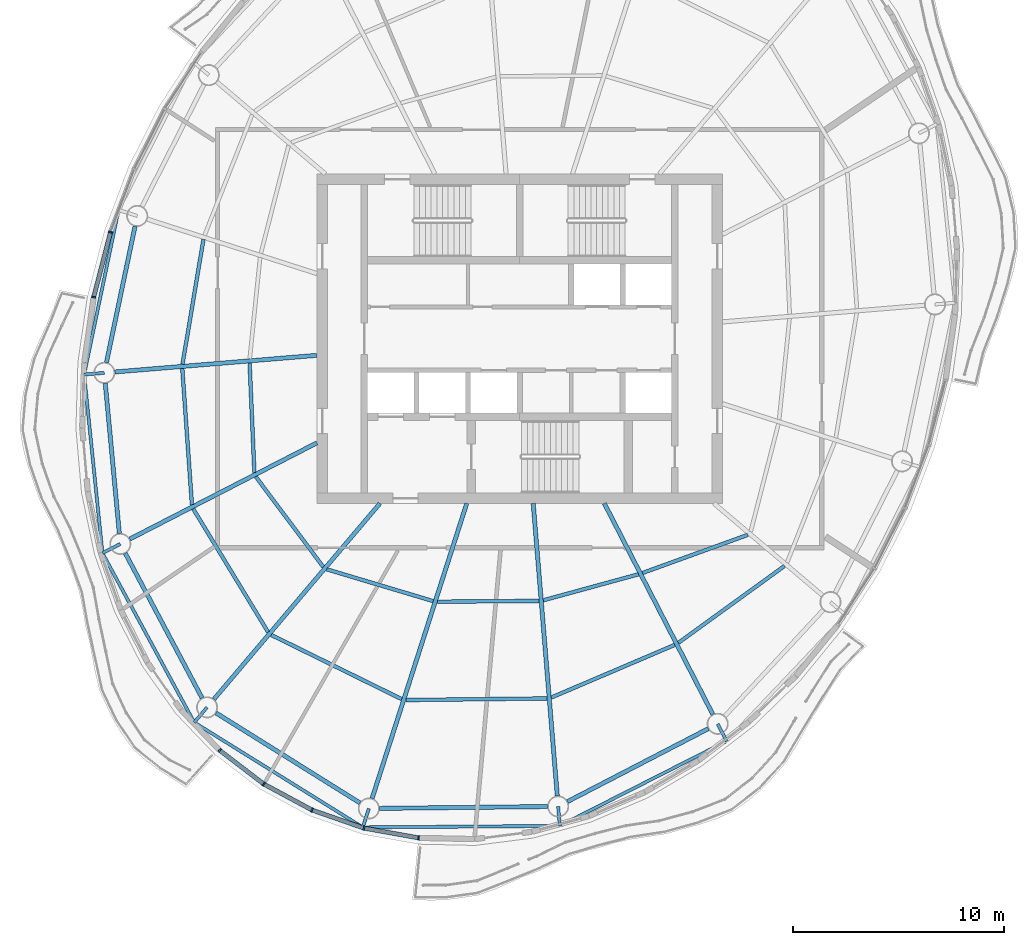
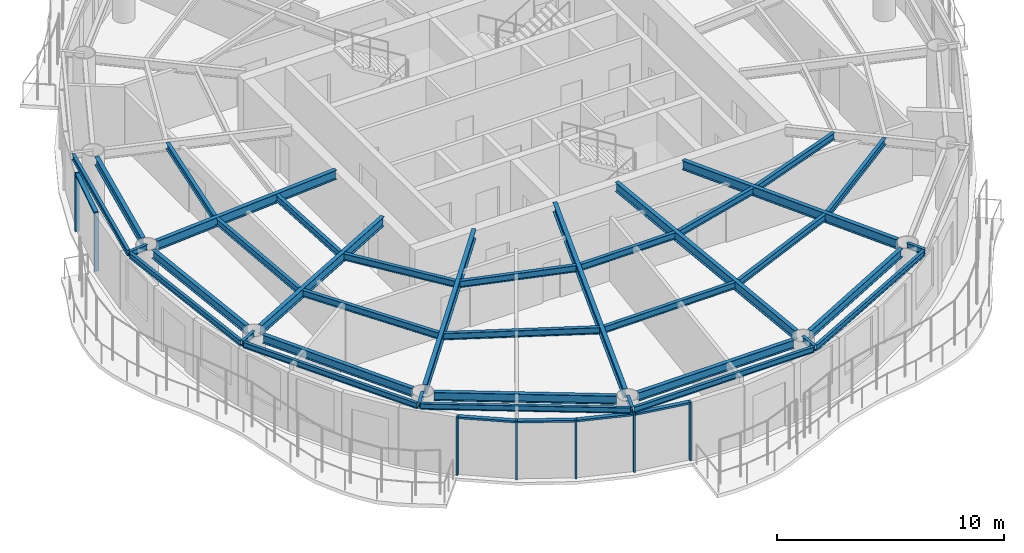
# One storey, part 2 of 13: 37 beams, 12 members, 5 elements without a shape of their own.
"""IFC4 building model written with IfcOpenShell, lengths in metres."""

from ifc_helpers import new_model, si_unit, direction, frame, origin, origin_2d, place, context, subcontext, project, spatial, rectangle, i_section, extrude, material, material_profile, profile_set, type_object, element, aggregate, save


model = new_model("IFC4")

# Units and contexts
model_context = context("Model", 3, precision=1e-05, world=origin(), true_north=direction((0.0, 1.0)))
body_context = subcontext(model_context, "Body", "Model", "MODEL_VIEW")
ifc_project = project(units=[si_unit("LENGTHUNIT", "METRE"), si_unit("AREAUNIT", "SQUARE_METRE"), si_unit("VOLUMEUNIT", "CUBIC_METRE"), si_unit("PLANEANGLEUNIT", "RADIAN"), si_unit("MASSUNIT", "GRAM", prefix="KILO")], contexts=[model_context])

# Site, building, storey
site_placement = place(None, origin())
site = spatial("IfcSite", under=ifc_project, at=site_placement, CompositionType="ELEMENT")
building_placement = place(site_placement, origin())
building = spatial("IfcBuilding", under=site, at=building_placement, Name="Vermilion Reach Broadcast Tower", CompositionType="ELEMENT")
storey_placement = place(building_placement, frame((0.0, 0.0, 297.300048828125)))
storey = spatial("IfcBuildingStorey", under=building, at=storey_placement, Name="L74", CompositionType="ELEMENT", Elevation=297.300048828125)

# Beams
ifc_material_1 = material(Name="Steel S355J2", Category="steel")
ifc_material_profile_1 = material_profile(ifc_material_1, i_section(OverallWidth=0.14990234375, OverallDepth=0.300048828125, WebThickness=0.006591796875, FlangeThickness=0.009033203125, at=origin_2d()), Name="S355J2 HN 300x150x6.5x9")
ifc_profile_set_1 = profile_set([ifc_material_profile_1], Name="Steel S355J2")
beam_type_1 = type_object("IfcBeamType", Name="EB5 HN 300x150x6.5x9", PredefinedType="BEAM", material=ifc_profile_set_1)
beam_1_placement = place(storey_placement, frame((-25.00439453125, 6.019287109375, 3.300048828125), z_axis=(-0.204738436734, -0.978816720599, 0.0), x_axis=(0.978816720599, -0.204738436734, 0.0)))
element("IfcBeam", 1, at=beam_1_placement, inside=storey, type_object=beam_type_1, Name="Edge beam EB5-05", PredefinedType="BEAM", context=body_context, shape_type="SweptSolid", body=[
    extrude(i_section(OverallWidth=0.14990234375, OverallDepth=0.300048828125, WebThickness=0.006591796875, FlangeThickness=0.009033203125, at=origin_2d()), origin(), (0.0, 0.0, 1.0), 7.806884765625),
])
beam_2_placement = place(storey_placement, frame((-26.611083984375, -1.7734375, 3.300048828125), z_axis=(0.102011792202, -0.99478318957, 0.0), x_axis=(0.99478318957, 0.102011792202, 0.0)))
element("IfcBeam", 2, at=beam_2_placement, inside=storey, type_object=beam_type_1, Name="Edge beam EB5-06", PredefinedType="BEAM", context=body_context, shape_type="SweptSolid", body=[
    extrude(i_section(OverallWidth=0.14990234375, OverallDepth=0.300048828125, WebThickness=0.006591796875, FlangeThickness=0.009033203125, at=origin_2d()), origin(), (0.0, 0.0, 1.0), 8.34521484375),
])
beam_3_placement = place(storey_placement, frame((-25.7158203125, -10.22119140625, 3.300048828125), z_axis=(0.476526173128, -0.879160284774, 0.0), x_axis=(0.879160284774, 0.476526173128, 0.0)))
element("IfcBeam", 3, at=beam_3_placement, inside=storey, type_object=beam_type_1, Name="Edge beam EB5-07", PredefinedType="BEAM", context=body_context, shape_type="SweptSolid", body=[
    extrude(i_section(OverallWidth=0.14990234375, OverallDepth=0.300048828125, WebThickness=0.006591796875, FlangeThickness=0.009033203125, at=origin_2d()), origin(), (0.0, 0.0, 1.0), 8.9638671875),
])
beam_4_placement = place(storey_placement, frame((-21.341552734375, -18.212646484375, 3.300048828125), z_axis=(0.848928421209, -0.528507838791, 0.0), x_axis=(0.528507838791, 0.848928421209, 0.0)))
element("IfcBeam", 4, at=beam_4_placement, inside=storey, type_object=beam_type_1, Name="Edge beam EB5-08", PredefinedType="BEAM", context=body_context, shape_type="SweptSolid", body=[
    extrude(i_section(OverallWidth=0.14990234375, OverallDepth=0.300048828125, WebThickness=0.006591796875, FlangeThickness=0.009033203125, at=origin_2d()), origin(), (0.0, 0.0, 1.0), 9.24755859375),
])
beam_5_placement = place(storey_placement, frame((-13.346435546875, -23.140380859375, 3.300048828125), z_axis=(0.999971629622, 0.007532592595, 0.0), x_axis=(-0.007532592595, 0.999971629622, 0.0)))
element("IfcBeam", 5, at=beam_5_placement, inside=storey, type_object=beam_type_1, Name="Edge beam EB5-09", PredefinedType="BEAM", context=body_context, shape_type="SweptSolid", body=[
    extrude(i_section(OverallWidth=0.14990234375, OverallDepth=0.300048828125, WebThickness=0.006591796875, FlangeThickness=0.009033203125, at=origin_2d()), origin(), (0.0, 0.0, 1.0), 9.17236328125),
])
beam_6_placement = place(storey_placement, frame((-4.02685546875, -23.033935546875, 3.300048828125), z_axis=(0.891604217889, 0.452815545936, 0.0), x_axis=(-0.452815545936, 0.891604217889, 0.0)))
element("IfcBeam", 6, at=beam_6_placement, inside=storey, type_object=beam_type_1, Name="Edge beam EB5-10", PredefinedType="BEAM", context=body_context, shape_type="SweptSolid", body=[
    extrude(i_section(OverallWidth=0.14990234375, OverallDepth=0.300048828125, WebThickness=0.006591796875, FlangeThickness=0.009033203125, at=origin_2d()), origin(), (0.0, 0.0, 1.0), 8.70263671875),
])
ifc_material_2 = material(Name="Steel S355J2", Category="steel")
ifc_material_profile_2 = material_profile(ifc_material_2, i_section(OverallWidth=0.199951171875, OverallDepth=0.5, WebThickness=0.010009765625, FlangeThickness=0.01611328125, at=origin_2d()), Name="S355J2 HN 500x200x10x16")
ifc_profile_set_2 = profile_set([ifc_material_profile_2], Name="Steel S355J2")
beam_type_2 = type_object("IfcBeamType", Name="G5 HN 500x200x10x16", PredefinedType="BEAM", material=ifc_profile_set_2)
beam_7_placement = place(storey_placement, frame((-15.60009765625, -0.791015625, 3.199951171875), z_axis=(-0.996624410075, -0.082096195058, 0.0), x_axis=(0.082096195058, -0.996624410075, 0.0)))
element("IfcBeam", 7, at=beam_7_placement, inside=storey, type_object=beam_type_2, Name="Girder G5-06", PredefinedType="BEAM", context=body_context, shape_type="SweptSolid", body=[
    extrude(i_section(OverallWidth=0.199951171875, OverallDepth=0.5, WebThickness=0.010009765625, FlangeThickness=0.01611328125, at=origin_2d()), origin(), (0.0, 0.0, 1.0), 9.599609375),
])
beam_8_placement = place(storey_placement, frame((-15.60009765625, -4.935791015625, 3.199951171875), z_axis=(-0.889332502449, -0.457261085254, 0.0), x_axis=(0.457261085254, -0.889332502449, 0.0)))
element("IfcBeam", 8, at=beam_8_placement, inside=storey, type_object=beam_type_2, Name="Girder G5-07", PredefinedType="BEAM", context=body_context, shape_type="SweptSolid", body=[
    extrude(i_section(OverallWidth=0.199951171875, OverallDepth=0.5, WebThickness=0.010009765625, FlangeThickness=0.01611328125, at=origin_2d()), origin(), (0.0, 0.0, 1.0), 9.96337890625),
])
beam_9_placement = place(storey_placement, frame((-12.612548828125, -7.800048828125, 3.199951171875), z_axis=(-0.646658335602, -0.762779782766, 0.0), x_axis=(0.762779782766, -0.646658335602, 0.0)))
element("IfcBeam", 9, at=beam_9_placement, inside=storey, type_object=beam_type_2, Name="Girder G5-08", PredefinedType="BEAM", context=body_context, shape_type="SweptSolid", body=[
    extrude(i_section(OverallWidth=0.199951171875, OverallDepth=0.5, WebThickness=0.010009765625, FlangeThickness=0.01611328125, at=origin_2d()), origin(), (0.0, 0.0, 1.0), 12.16064453125),
])
beam_10_placement = place(storey_placement, frame((-8.502685546875, -7.800048828125, 3.199951171875), z_axis=(-0.305545401295, -0.952177508528, 0.0), x_axis=(0.952177508528, -0.305545401295, 0.0)))
element("IfcBeam", 10, at=beam_10_placement, inside=storey, type_object=beam_type_2, Name="Girder G5-09", PredefinedType="BEAM", context=body_context, shape_type="SweptSolid", body=[
    extrude(i_section(OverallWidth=0.199951171875, OverallDepth=0.5, WebThickness=0.010009765625, FlangeThickness=0.01611328125, at=origin_2d()), origin(), (0.0, 0.0, 1.0), 14.672607421875),
])
beam_11_placement = place(storey_placement, frame((-5.357421875, -7.800048828125, 3.199951171875), z_axis=(0.082123744247, -0.996622140347, 0.0), x_axis=(0.996622140347, 0.082123744247, 0.0)))
element("IfcBeam", 11, at=beam_11_placement, inside=storey, type_object=beam_type_2, Name="Girder G5-10", PredefinedType="BEAM", context=body_context, shape_type="SweptSolid", body=[
    extrude(i_section(OverallWidth=0.199951171875, OverallDepth=0.5, WebThickness=0.010009765625, FlangeThickness=0.01611328125, at=origin_2d()), origin(), (0.0, 0.0, 1.0), 13.89794921875),
])
beam_12_placement = place(storey_placement, frame((-1.989501953125, -7.800048828125, 3.199951171875), z_axis=(0.457258168112, -0.889334002327, 0.0), x_axis=(0.889334002327, 0.457258168112, 0.0)))
element("IfcBeam", 12, at=beam_12_placement, inside=storey, type_object=beam_type_2, Name="Girder G5-11", PredefinedType="BEAM", context=body_context, shape_type="SweptSolid", body=[
    extrude(i_section(OverallWidth=0.199951171875, OverallDepth=0.5, WebThickness=0.010009765625, FlangeThickness=0.01611328125, at=origin_2d()), origin(), (0.0, 0.0, 1.0), 11.236328125),
])
ifc_material_3 = material(Name="Steel S355J2", Category="steel")
ifc_material_profile_3 = material_profile(ifc_material_3, i_section(OverallWidth=0.14990234375, OverallDepth=0.300048828125, WebThickness=0.006591796875, FlangeThickness=0.009033203125, at=origin_2d()), Name="S355J2 HN 300x150x6.5x9")
ifc_profile_set_3 = profile_set([ifc_material_profile_3], Name="Steel S355J2")
beam_type_3 = type_object("IfcBeamType", Name="GS5 HN 300x150x6.5x9", PredefinedType="BEAM", material=ifc_profile_set_3)
beam_13_placement = place(storey_placement, frame((-25.665771484375, -1.620361328125, 3.300048828125), z_axis=(-0.996634988565, -0.081967673925, 0.0), x_axis=(0.081967673925, -0.996634988565, 0.0)))
element("IfcBeam", 13, at=beam_13_placement, inside=storey, type_object=beam_type_3, Name="Cantilever stub GS5-06", PredefinedType="BEAM", context=body_context, shape_type="SweptSolid", body=[
    extrude(i_section(OverallWidth=0.14990234375, OverallDepth=0.300048828125, WebThickness=0.006591796875, FlangeThickness=0.009033203125, at=origin_2d()), origin(), (0.0, 0.0, 1.0), 0.9560546875),
])
beam_14_placement = place(storey_placement, frame((-24.905517578125, -9.72021484375, 3.300048828125), z_axis=(-0.88934146644, -0.457243650662, 0.0), x_axis=(0.457243650662, -0.88934146644, 0.0)))
element("IfcBeam", 14, at=beam_14_placement, inside=storey, type_object=beam_type_3, Name="Cantilever stub GS5-07", PredefinedType="BEAM", context=body_context, shape_type="SweptSolid", body=[
    extrude(i_section(OverallWidth=0.14990234375, OverallDepth=0.300048828125, WebThickness=0.006591796875, FlangeThickness=0.009033203125, at=origin_2d()), origin(), (0.0, 0.0, 1.0), 0.951416015625),
])
beam_15_placement = place(storey_placement, frame((-20.799560546875, -17.457275390625, 3.300048828125), z_axis=(-0.646665495652, -0.762773712665, 0.0), x_axis=(0.762773712665, -0.646665495652, 0.0)))
element("IfcBeam", 15, at=beam_15_placement, inside=storey, type_object=beam_type_3, Name="Cantilever stub GS5-08", PredefinedType="BEAM", context=body_context, shape_type="SweptSolid", body=[
    extrude(i_section(OverallWidth=0.14990234375, OverallDepth=0.300048828125, WebThickness=0.006591796875, FlangeThickness=0.009033203125, at=origin_2d()), origin(), (0.0, 0.0, 1.0), 0.937744140625),
])
beam_16_placement = place(storey_placement, frame((-13.138427734375, -22.2470703125, 3.300048828125), z_axis=(-0.305596628184, -0.95216106875, 0.0), x_axis=(0.95216106875, -0.305596628184, 0.0)))
element("IfcBeam", 16, at=beam_16_placement, inside=storey, type_object=beam_type_3, Name="Cantilever stub GS5-09", PredefinedType="BEAM", context=body_context, shape_type="SweptSolid", body=[
    extrude(i_section(OverallWidth=0.14990234375, OverallDepth=0.300048828125, WebThickness=0.006591796875, FlangeThickness=0.009033203125, at=origin_2d()), origin(), (0.0, 0.0, 1.0), 0.938720703125),
])
beam_17_placement = place(storey_placement, frame((-4.175048828125, -22.1494140625, 3.300048828125), z_axis=(0.082149174093, -0.996620044548, 0.0), x_axis=(0.996620044548, 0.082149174093, 0.0)))
element("IfcBeam", 17, at=beam_17_placement, inside=storey, type_object=beam_type_3, Name="Cantilever stub GS5-10", PredefinedType="BEAM", context=body_context, shape_type="SweptSolid", body=[
    extrude(i_section(OverallWidth=0.14990234375, OverallDepth=0.300048828125, WebThickness=0.006591796875, FlangeThickness=0.009033203125, at=origin_2d()), origin(), (0.0, 0.0, 1.0), 0.92431640625),
])
beam_18_placement = place(storey_placement, frame((3.376953125, -18.23779296875, 3.300048828125), z_axis=(0.457228572872, -0.889349218333, 0.0), x_axis=(0.889349218333, 0.457228572872, 0.0)))
element("IfcBeam", 18, at=beam_18_placement, inside=storey, type_object=beam_type_3, Name="Cantilever stub GS5-11", PredefinedType="BEAM", context=body_context, shape_type="SweptSolid", body=[
    extrude(i_section(OverallWidth=0.14990234375, OverallDepth=0.300048828125, WebThickness=0.006591796875, FlangeThickness=0.009033203125, at=origin_2d()), origin(), (0.0, 0.0, 1.0), 0.923828125),
])
ifc_material_4 = material(Name="Steel S355J2", Category="steel")
ifc_material_profile_4 = material_profile(ifc_material_4, i_section(OverallWidth=0.199951171875, OverallDepth=0.449951171875, WebThickness=0.009033203125, FlangeThickness=0.013916015625, at=origin_2d()), Name="S355J2 HN 450x200x9x14")
ifc_profile_set_4 = profile_set([ifc_material_profile_4], Name="Steel S355J2")
beam_type_4 = type_object("IfcBeamType", Name="RB5 HN 450x200x9x14", PredefinedType="BEAM", material=ifc_profile_set_4)
beam_19_placement = place(storey_placement, frame((-24.208740234375, 5.3203125, 3.224853515625), z_axis=(-0.205444869285, -0.978668690459, 0.0), x_axis=(0.978668690459, -0.205444869285, 0.0)))
element("IfcBeam", 19, at=beam_19_placement, inside=storey, type_object=beam_type_4, Name="Ring beam RB5-05", PredefinedType="BEAM", context=body_context, shape_type="SweptSolid", body=[
    extrude(i_section(OverallWidth=0.199951171875, OverallDepth=0.449951171875, WebThickness=0.009033203125, FlangeThickness=0.013916015625, at=origin_2d()), origin(), (0.0, 0.0, 1.0), 6.591796875),
])
beam_20_placement = place(storey_placement, frame((-25.618896484375, -2.1181640625, 3.224853515625), z_axis=(0.093441399272, -0.995624781181, 0.0), x_axis=(0.995624781181, 0.093441399272, 0.0)))
element("IfcBeam", 20, at=beam_20_placement, inside=storey, type_object=beam_type_4, Name="Ring beam RB5-06", PredefinedType="BEAM", context=body_context, shape_type="SweptSolid", body=[
    extrude(i_section(OverallWidth=0.199951171875, OverallDepth=0.449951171875, WebThickness=0.009033203125, FlangeThickness=0.013916015625, at=origin_2d()), origin(), (0.0, 0.0, 1.0), 7.135498046875),
])
beam_21_placement = place(storey_placement, frame((-24.671142578125, -10.161865234375, 3.224853515625), z_axis=(0.468767917375, -0.883321368269, 0.0), x_axis=(0.883321368269, 0.468767917375, 0.0)))
element("IfcBeam", 21, at=beam_21_placement, inside=storey, type_object=beam_type_4, Name="Ring beam RB5-07", PredefinedType="BEAM", context=body_context, shape_type="SweptSolid", body=[
    extrude(i_section(OverallWidth=0.199951171875, OverallDepth=0.449951171875, WebThickness=0.009033203125, FlangeThickness=0.013916015625, at=origin_2d()), origin(), (0.0, 0.0, 1.0), 7.759033203125),
])
beam_22_placement = place(storey_placement, frame((-20.375732421875, -17.722412109375, 3.224853515625), z_axis=(0.847914653245, -0.530132757724, 0.0), x_axis=(0.530132757724, 0.847914653245, 0.0)))
element("IfcBeam", 22, at=beam_22_placement, inside=storey, type_object=beam_type_4, Name="Ring beam RB5-08", PredefinedType="BEAM", context=body_context, shape_type="SweptSolid", body=[
    extrude(i_section(OverallWidth=0.199951171875, OverallDepth=0.449951171875, WebThickness=0.009033203125, FlangeThickness=0.013916015625, at=origin_2d()), origin(), (0.0, 0.0, 1.0), 8.035400390625),
])
beam_23_placement = place(storey_placement, frame((-12.638427734375, -22.24169921875, 3.224853515625), z_axis=(0.999940445231, 0.010913569149, 0.0), x_axis=(-0.010913569149, 0.999940445231, 0.0)))
element("IfcBeam", 23, at=beam_23_placement, inside=storey, type_object=beam_type_4, Name="Ring beam RB5-09", PredefinedType="BEAM", context=body_context, shape_type="SweptSolid", body=[
    extrude(i_section(OverallWidth=0.199951171875, OverallDepth=0.449951171875, WebThickness=0.009033203125, FlangeThickness=0.013916015625, at=origin_2d()), origin(), (0.0, 0.0, 1.0), 7.9638671875),
])
beam_24_placement = place(storey_placement, frame((-3.731201171875, -21.91943359375, 3.224853515625), z_axis=(0.887960248279, 0.459920207729, 0.0), x_axis=(-0.459920207729, 0.887960248279, 0.0)))
element("IfcBeam", 24, at=beam_24_placement, inside=storey, type_object=beam_type_4, Name="Ring beam RB5-10", PredefinedType="BEAM", context=body_context, shape_type="SweptSolid", body=[
    extrude(i_section(OverallWidth=0.199951171875, OverallDepth=0.449951171875, WebThickness=0.009033203125, FlangeThickness=0.013916015625, at=origin_2d()), origin(), (0.0, 0.0, 1.0), 7.5048828125),
])
ifc_material_5 = material(Name="Steel S355J2", Category="steel")
ifc_material_profile_5 = material_profile(ifc_material_5, i_section(OverallWidth=0.175048828125, OverallDepth=0.35009765625, WebThickness=0.007080078125, FlangeThickness=0.010986328125, at=origin_2d()), Name="S355J2 HN 350x175x7x11")
ifc_profile_set_5 = profile_set([ifc_material_profile_5], Name="Steel S355J2")
beam_type_5 = type_object("IfcBeamType", Name="SB5 HN 350x175x7x11", PredefinedType="BEAM", material=ifc_profile_set_5)
beam_25_placement = place(storey_placement, frame((-20.969970703125, 4.698486328125, 3.27490234375), z_axis=(-0.16532337011, -0.986239414795, 0.0), x_axis=(0.986239414795, -0.16532337011, 0.0)))
element("IfcBeam", 25, at=beam_25_placement, inside=storey, type_object=beam_type_5, Name="Secondary beam SB5-05-2", PredefinedType="BEAM", context=body_context, shape_type="SweptSolid", body=[
    extrude(i_section(OverallWidth=0.175048828125, OverallDepth=0.35009765625, WebThickness=0.007080078125, FlangeThickness=0.010986328125, at=origin_2d()), origin(), (0.0, 0.0, 1.0), 5.99560546875),
])
beam_26_placement = place(storey_placement, frame((-18.78466796875, -1.153564453125, 3.27490234375), z_axis=(0.043557530017, -0.999050920413, 0.0), x_axis=(0.999050920413, 0.043557530017, 0.0)))
element("IfcBeam", 26, at=beam_26_placement, inside=storey, type_object=beam_type_5, Name="Secondary beam SB5-06-1", PredefinedType="BEAM", context=body_context, shape_type="SweptSolid", body=[
    extrude(i_section(OverallWidth=0.175048828125, OverallDepth=0.35009765625, WebThickness=0.007080078125, FlangeThickness=0.010986328125, at=origin_2d()), origin(), (0.0, 0.0, 1.0), 5.19580078125),
])
beam_27_placement = place(storey_placement, frame((-21.97119140625, -1.416259765625, 3.27490234375), z_axis=(0.070586780458, -0.997505642302, 0.0), x_axis=(0.997505642302, 0.070586780458, 0.0)))
element("IfcBeam", 27, at=beam_27_placement, inside=storey, type_object=beam_type_5, Name="Secondary beam SB5-06-2", PredefinedType="BEAM", context=body_context, shape_type="SweptSolid", body=[
    extrude(i_section(OverallWidth=0.175048828125, OverallDepth=0.35009765625, WebThickness=0.007080078125, FlangeThickness=0.010986328125, at=origin_2d()), origin(), (0.0, 0.0, 1.0), 6.46435546875),
])
beam_28_placement = place(storey_placement, frame((-18.492919921875, -6.53564453125, 3.27490234375), z_axis=(0.599055582645, -0.800707442767, 0.0), x_axis=(0.800707442767, 0.599055582645, 0.0)))
element("IfcBeam", 28, at=beam_28_placement, inside=storey, type_object=beam_type_5, Name="Secondary beam SB5-07-1", PredefinedType="BEAM", context=body_context, shape_type="SweptSolid", body=[
    extrude(i_section(OverallWidth=0.175048828125, OverallDepth=0.35009765625, WebThickness=0.007080078125, FlangeThickness=0.010986328125, at=origin_2d()), origin(), (0.0, 0.0, 1.0), 5.337890625),
])
beam_29_placement = place(storey_placement, frame((-21.455078125, -8.058837890625, 3.27490234375), z_axis=(0.519272962556, -0.854608442714, 0.0), x_axis=(0.854608442714, 0.519272962556, 0.0)))
element("IfcBeam", 29, at=beam_29_placement, inside=storey, type_object=beam_type_5, Name="Secondary beam SB5-07-2", PredefinedType="BEAM", context=body_context, shape_type="SweptSolid", body=[
    extrude(i_section(OverallWidth=0.175048828125, OverallDepth=0.35009765625, WebThickness=0.007080078125, FlangeThickness=0.010986328125, at=origin_2d()), origin(), (0.0, 0.0, 1.0), 6.82763671875),
])
beam_30_placement = place(storey_placement, frame((-15.129150390625, -10.92333984375, 3.27490234375), z_axis=(0.958124906971, -0.286350593925, 0.0), x_axis=(0.286350593925, 0.958124906971, 0.0)))
element("IfcBeam", 30, at=beam_30_placement, inside=storey, type_object=beam_type_5, Name="Secondary beam SB5-08-1", PredefinedType="BEAM", context=body_context, shape_type="SweptSolid", body=[
    extrude(i_section(OverallWidth=0.175048828125, OverallDepth=0.35009765625, WebThickness=0.007080078125, FlangeThickness=0.010986328125, at=origin_2d()), origin(), (0.0, 0.0, 1.0), 5.25634765625),
])
beam_31_placement = place(storey_placement, frame((-17.762451171875, -14.029541015625, 3.27490234375), z_axis=(0.897335928087, -0.441348198325, 0.0), x_axis=(0.441348198325, 0.897335928087, 0.0)))
element("IfcBeam", 31, at=beam_31_placement, inside=storey, type_object=beam_type_5, Name="Secondary beam SB5-08-2", PredefinedType="BEAM", context=body_context, shape_type="SweptSolid", body=[
    extrude(i_section(OverallWidth=0.175048828125, OverallDepth=0.35009765625, WebThickness=0.007080078125, FlangeThickness=0.010986328125, at=origin_2d()), origin(), (0.0, 0.0, 1.0), 6.887451171875),
])
beam_32_placement = place(storey_placement, frame((-9.891845703125, -12.4560546875, 3.27490234375), z_axis=(0.999968312294, 0.007960804474, 0.0), x_axis=(-0.007960804474, 0.999968312294, 0.0)))
element("IfcBeam", 32, at=beam_32_placement, inside=storey, type_object=beam_type_5, Name="Secondary beam SB5-09-1", PredefinedType="BEAM", context=body_context, shape_type="SweptSolid", body=[
    extrude(i_section(OverallWidth=0.175048828125, OverallDepth=0.35009765625, WebThickness=0.007080078125, FlangeThickness=0.010986328125, at=origin_2d()), origin(), (0.0, 0.0, 1.0), 4.81494140625),
])
beam_33_placement = place(storey_placement, frame((-11.385986328125, -17.11279296875, 3.27490234375), z_axis=(0.999932654133, 0.011605481368, 0.0), x_axis=(-0.011605481368, 0.999932654133, 0.0)))
element("IfcBeam", 33, at=beam_33_placement, inside=storey, type_object=beam_type_5, Name="Secondary beam SB5-09-2", PredefinedType="BEAM", context=body_context, shape_type="SweptSolid", body=[
    extrude(i_section(OverallWidth=0.175048828125, OverallDepth=0.35009765625, WebThickness=0.007080078125, FlangeThickness=0.010986328125, at=origin_2d()), origin(), (0.0, 0.0, 1.0), 6.689697265625),
])
beam_34_placement = place(storey_placement, frame((-4.87890625, -12.39013671875, 3.27490234375), z_axis=(0.964547496851, 0.263909314573, 0.0), x_axis=(-0.263909314573, 0.964547496851, 0.0)))
element("IfcBeam", 34, at=beam_34_placement, inside=storey, type_object=beam_type_5, Name="Secondary beam SB5-10-1", PredefinedType="BEAM", context=body_context, shape_type="SweptSolid", body=[
    extrude(i_section(OverallWidth=0.175048828125, OverallDepth=0.35009765625, WebThickness=0.007080078125, FlangeThickness=0.010986328125, at=origin_2d()), origin(), (0.0, 0.0, 1.0), 4.6689453125),
])
beam_35_placement = place(storey_placement, frame((-4.49951171875, -16.99267578125, 3.27490234375), z_axis=(0.919880986172, 0.392197617637, 0.0), x_axis=(-0.392197617637, 0.919880986172, 0.0)))
element("IfcBeam", 35, at=beam_35_placement, inside=storey, type_object=beam_type_5, Name="Secondary beam SB5-10-2", PredefinedType="BEAM", context=body_context, shape_type="SweptSolid", body=[
    extrude(i_section(OverallWidth=0.175048828125, OverallDepth=0.35009765625, WebThickness=0.007080078125, FlangeThickness=0.010986328125, at=origin_2d()), origin(), (0.0, 0.0, 1.0), 6.351806640625),
])
beam_36_placement = place(storey_placement, frame((-0.18212890625, -11.0966796875, 3.27490234375), z_axis=(0.940220108875, 0.340567389613, 0.0), x_axis=(-0.340567389613, 0.940220108875, 0.0)))
element("IfcBeam", 36, at=beam_36_placement, inside=storey, type_object=beam_type_5, Name="Secondary beam SB5-11-1", PredefinedType="BEAM", context=body_context, shape_type="SweptSolid", body=[
    extrude(i_section(OverallWidth=0.175048828125, OverallDepth=0.35009765625, WebThickness=0.007080078125, FlangeThickness=0.010986328125, at=origin_2d()), origin(), (0.0, 0.0, 1.0), 5.303466796875),
])
beam_37_placement = place(storey_placement, frame((1.517578125, -14.402587890625, 3.27490234375), z_axis=(0.809771251518, 0.586745703192, 0.0), x_axis=(-0.586745703192, 0.809771251518, 0.0)))
element("IfcBeam", 37, at=beam_37_placement, inside=storey, type_object=beam_type_5, Name="Secondary beam SB5-11-2", PredefinedType="BEAM", context=body_context, shape_type="SweptSolid", body=[
    extrude(i_section(OverallWidth=0.175048828125, OverallDepth=0.35009765625, WebThickness=0.007080078125, FlangeThickness=0.010986328125, at=origin_2d()), origin(), (0.0, 0.0, 1.0), 6.20361328125),
])

# Curtain wall, members
ifc_material_6 = material(Name="Low-e laminated clear glass in aluminium frame", Category="aluminium")
curtain_wall_type = type_object("IfcCurtainWallType", Name="Slot curtain wall", PredefinedType="NOTDEFINED", material=ifc_material_6)
placement = place(storey_placement, origin())
curtain_wall_1 = element("IfcCurtainWall", 38, at=placement, inside=storey, type_object=curtain_wall_type, Name="Slot curtain wall L74 13", PredefinedType="NOTDEFINED")
ifc_material_7 = material(Name="Anodised aluminium", Category="aluminium")
ifc_material_profile_6 = material_profile(ifc_material_7, rectangle(XDim=0.199951171875, YDim=0.080078125, at=origin_2d()), Name="Slot mullion 80 x 200")
ifc_profile_set_6 = profile_set([ifc_material_profile_6], Name="Anodised aluminium")
member_type_1 = type_object("IfcMemberType", Name="Slot mullion 80 x 200", PredefinedType="MULLION", material=ifc_profile_set_6)
member_1_placement = place(storey_placement, frame((-25.369873046875, 5.041259765625, 0.0), z_axis=(0.0, 0.0, 1.0), x_axis=(0.953221882302, -0.302271472522, 0.0)))
member_1 = element("IfcMember", 39, at=member_1_placement, type_object=member_type_1, Name="Slot mullion L74 13", PredefinedType="MULLION", context=body_context, shape_type="SweptSolid", body=[
    extrude(rectangle(XDim=0.199951171875, YDim=0.080078125, at=origin_2d()), origin(), (0.0, 0.0, 1.0), 3.14990234375),
])
member_2_placement = place(storey_placement, frame((-26.16552734375, 1.966064453125, 0.0), z_axis=(0.0, 0.0, 1.0), x_axis=(0.980412260893, -0.196956337014, 0.0)))
member_2 = element("IfcMember", 40, at=member_2_placement, type_object=member_type_1, Name="Slot mullion L74 14", PredefinedType="MULLION", context=body_context, shape_type="SweptSolid", body=[
    extrude(rectangle(XDim=0.199951171875, YDim=0.080078125, at=origin_2d()), origin(), (0.0, 0.0, 1.0), 3.14990234375),
])

# Curtain wall, member
curtain_wall_2 = element("IfcCurtainWall", 41, at=placement, inside=storey, type_object=curtain_wall_type, Name="Slot curtain wall L74 22", PredefinedType="NOTDEFINED")
member_3_placement = place(storey_placement, frame((-20.2001953125, -19.49267578125, 0.0), z_axis=(0.0, 0.0, 1.0), x_axis=(0.666968411881, 0.745085993395, 0.0)))
member_3 = element("IfcMember", 42, at=member_3_placement, type_object=member_type_1, Name="Slot mullion L74 22", PredefinedType="MULLION", context=body_context, shape_type="SweptSolid", body=[
    extrude(rectangle(XDim=0.199951171875, YDim=0.080078125, at=origin_2d()), origin(), (0.0, 0.0, 1.0), 3.14990234375),
])

curtain_wall_3 = element("IfcCurtainWall", 43, at=placement, inside=storey, type_object=curtain_wall_type, Name="Slot curtain wall L74 23", PredefinedType="NOTDEFINED")
member_4_placement = place(storey_placement, frame((-18.115966796875, -21.086669921875, 0.0), z_axis=(0.0, 0.0, 1.0), x_axis=(0.542718942268, 0.839914370459, 0.0)))
member_4 = element("IfcMember", 44, at=member_4_placement, type_object=member_type_1, Name="Slot mullion L74 23", PredefinedType="MULLION", context=body_context, shape_type="SweptSolid", body=[
    extrude(rectangle(XDim=0.199951171875, YDim=0.080078125, at=origin_2d()), origin(), (0.0, 0.0, 1.0), 3.14990234375),
])

curtain_wall_4 = element("IfcCurtainWall", 45, at=placement, inside=storey, type_object=curtain_wall_type, Name="Slot curtain wall L74 24", PredefinedType="NOTDEFINED")
member_5_placement = place(storey_placement, frame((-15.826171875, -22.3212890625, 0.0), z_axis=(0.0, 0.0, 1.0), x_axis=(0.4029063388, 0.915241215284, 0.0)))
member_5 = element("IfcMember", 46, at=member_5_placement, type_object=member_type_1, Name="Slot mullion L74 24", PredefinedType="MULLION", context=body_context, shape_type="SweptSolid", body=[
    extrude(rectangle(XDim=0.199951171875, YDim=0.080078125, at=origin_2d()), origin(), (0.0, 0.0, 1.0), 3.14990234375),
])

# Curtain wall, members
curtain_wall_5 = element("IfcCurtainWall", 47, at=placement, inside=storey, type_object=curtain_wall_type, Name="Slot curtain wall L74 25", PredefinedType="NOTDEFINED")
member_6_placement = place(storey_placement, frame((-13.369384765625, -23.176025390625, 0.0), z_axis=(0.0, 0.0, 1.0), x_axis=(0.252931945417, 0.967484072731, 0.0)))
member_6 = element("IfcMember", 48, at=member_6_placement, type_object=member_type_1, Name="Slot mullion L74 25", PredefinedType="MULLION", context=body_context, shape_type="SweptSolid", body=[
    extrude(rectangle(XDim=0.199951171875, YDim=0.080078125, at=origin_2d()), origin(), (0.0, 0.0, 1.0), 3.14990234375),
])
member_7_placement = place(storey_placement, frame((-10.786376953125, -23.636962890625, 0.0), z_axis=(0.0, 0.0, 1.0), x_axis=(0.099085154924, 0.995078957708, 0.0)))
member_7 = element("IfcMember", 49, at=member_7_placement, type_object=member_type_1, Name="Slot mullion L74 26", PredefinedType="MULLION", context=body_context, shape_type="SweptSolid", body=[
    extrude(rectangle(XDim=0.199951171875, YDim=0.080078125, at=origin_2d()), origin(), (0.0, 0.0, 1.0), 3.14990234375),
])

# Member
ifc_material_8 = material(Name="Anodised aluminium", Category="aluminium")
ifc_material_profile_7 = material_profile(ifc_material_8, rectangle(XDim=0.199951171875, YDim=0.10009765625, at=origin_2d()), Name="Slot transom 200 x 100")
ifc_profile_set_7 = profile_set([ifc_material_profile_7], Name="Anodised aluminium")
member_type_2 = type_object("IfcMemberType", Name="Slot transom 200 x 100", PredefinedType="USERDEFINED", material=ifc_profile_set_7)
member_8_placement = place(storey_placement, frame((-25.3798828125, 5.00244140625, 3.099853515625), z_axis=(-0.250486026759, -0.968120214849, 0.0), x_axis=(0.968120214849, -0.250486026759, 0.0)))
member_8 = element("IfcMember", 50, at=member_8_placement, type_object=member_type_2, Name="Slot transom L74 13.1", ObjectType="TRANSOM", PredefinedType="USERDEFINED", context=body_context, shape_type="SweptSolid", body=[
    extrude(rectangle(XDim=0.199951171875, YDim=0.10009765625, at=origin_2d()), origin(), (0.0, 0.0, 1.0), 3.096435546875),
])

aggregate(curtain_wall_1, [member_1, member_2, member_8])

member_9_placement = place(storey_placement, frame((-20.16845703125, -19.51708984375, 3.099853515625), z_axis=(0.794379625766, -0.607421608249, 0.0), x_axis=(0.607421608249, 0.794379625766, 0.0)))
member_9 = element("IfcMember", 51, at=member_9_placement, type_object=member_type_2, Name="Slot transom L74 22.1", ObjectType="TRANSOM", PredefinedType="USERDEFINED", context=body_context, shape_type="SweptSolid", body=[
    extrude(rectangle(XDim=0.199951171875, YDim=0.10009765625, at=origin_2d()), origin(), (0.0, 0.0, 1.0), 2.543701171875),
])

aggregate(curtain_wall_2, [member_3, member_9])

member_10_placement = place(storey_placement, frame((-18.080810546875, -21.10546875, 3.099853515625), z_axis=(0.880194256812, -0.474613601022, 0.0), x_axis=(0.474613601022, 0.880194256812, 0.0)))
member_10 = element("IfcMember", 52, at=member_10_placement, type_object=member_type_2, Name="Slot transom L74 23.1", ObjectType="TRANSOM", PredefinedType="USERDEFINED", context=body_context, shape_type="SweptSolid", body=[
    extrude(rectangle(XDim=0.199951171875, YDim=0.10009765625, at=origin_2d()), origin(), (0.0, 0.0, 1.0), 2.521484375),
])

aggregate(curtain_wall_3, [member_4, member_10])

member_11_placement = place(storey_placement, frame((-15.788330078125, -22.334228515625, 3.099853515625), z_axis=(0.944447142888, -0.328663344916, 0.0), x_axis=(0.328663344916, 0.944447142888, 0.0)))
member_11 = element("IfcMember", 53, at=member_11_placement, type_object=member_type_2, Name="Slot transom L74 24.1", ObjectType="TRANSOM", PredefinedType="USERDEFINED", context=body_context, shape_type="SweptSolid", body=[
    extrude(rectangle(XDim=0.199951171875, YDim=0.10009765625, at=origin_2d()), origin(), (0.0, 0.0, 1.0), 2.521240234375),
])

aggregate(curtain_wall_4, [member_5, member_11])

member_12_placement = place(storey_placement, frame((-13.330078125, -23.18310546875, 3.099853515625), z_axis=(0.984457218392, -0.175624557385, 0.0), x_axis=(0.175624557385, 0.984457218392, 0.0)))
member_12 = element("IfcMember", 54, at=member_12_placement, type_object=member_type_2, Name="Slot transom L74 25.1", ObjectType="TRANSOM", PredefinedType="USERDEFINED", context=body_context, shape_type="SweptSolid", body=[
    extrude(rectangle(XDim=0.199951171875, YDim=0.10009765625, at=origin_2d()), origin(), (0.0, 0.0, 1.0), 2.5439453125),
])

aggregate(curtain_wall_5, [member_6, member_7, member_12])

save(model, "model.ifc")
